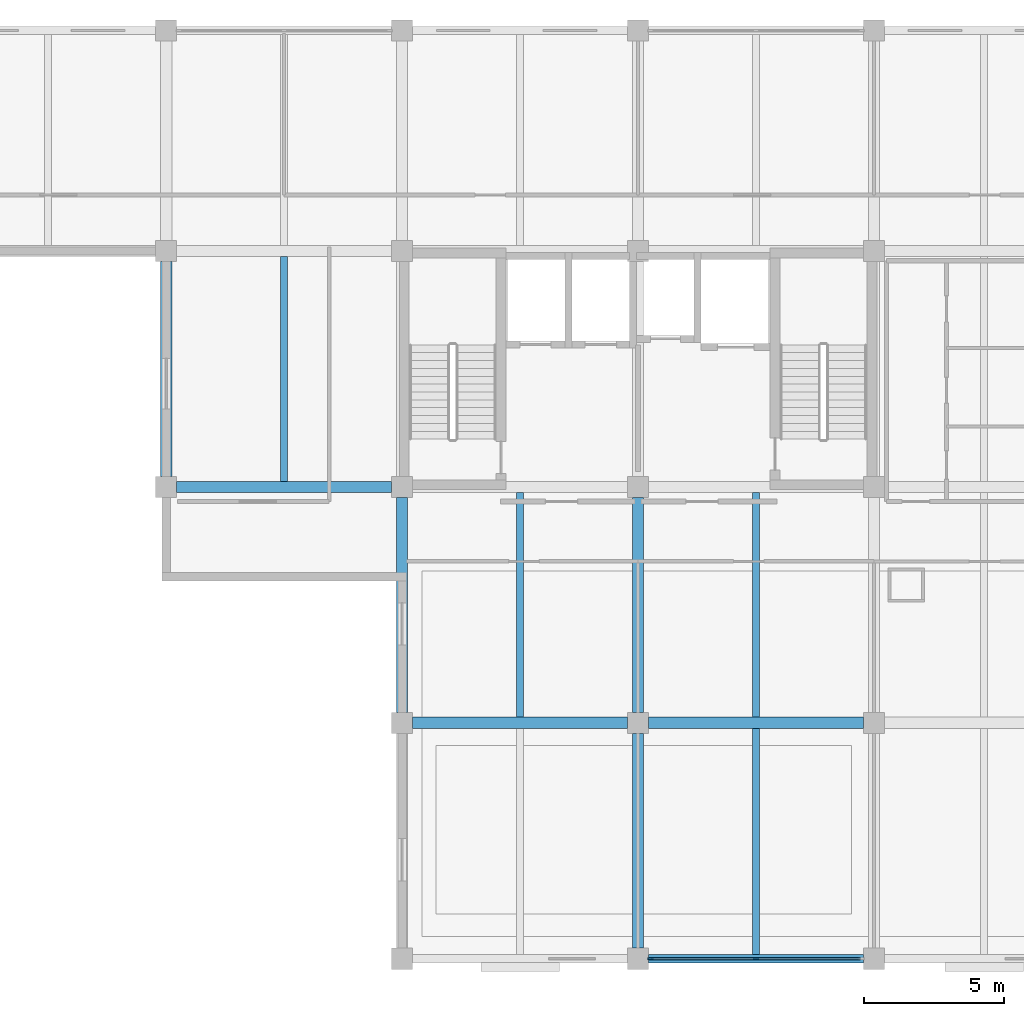
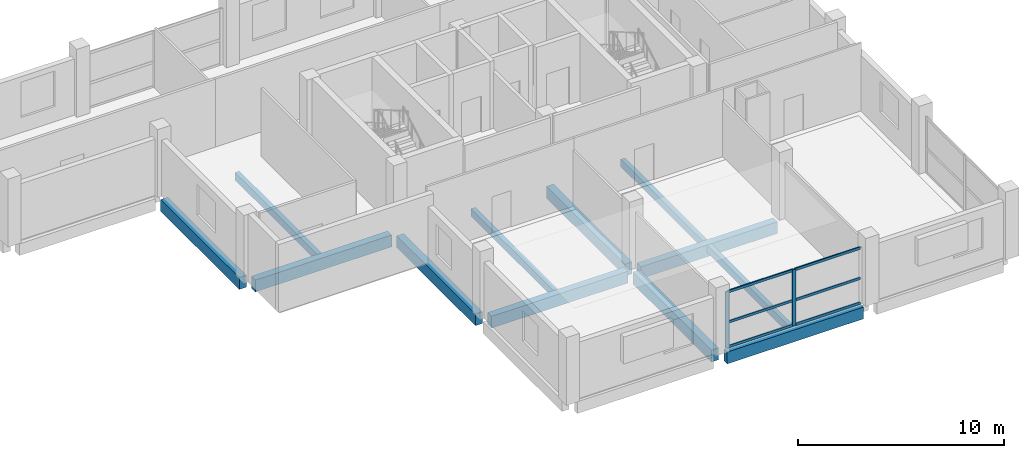
# One storey, part 2 of 9: 12 beams, 8 members, 1 element without a shape of its own.
"""IFC4 building model written with IfcOpenShell, lengths in metres."""

from ifc_helpers import new_model, si_unit, direction, frame, origin, origin_2d, place, context, subcontext, project, spatial, rectangle, extrude, material, material_profile, profile_set, type_object, element, aggregate, save


model = new_model("IFC4")

# Units and contexts
model_context = context("Model", 3, precision=1e-05, world=origin(), true_north=direction((0.0, 1.0)))
body_context = subcontext(model_context, "Body", "Model", "MODEL_VIEW")
ifc_project = project(units=[si_unit("LENGTHUNIT", "METRE"), si_unit("AREAUNIT", "SQUARE_METRE"), si_unit("VOLUMEUNIT", "CUBIC_METRE"), si_unit("PLANEANGLEUNIT", "RADIAN"), si_unit("MASSUNIT", "GRAM", prefix="KILO")], contexts=[model_context])

# Site, building, storey
site_placement = place(None, origin())
site = spatial("IfcSite", under=ifc_project, at=site_placement, CompositionType="ELEMENT")
building_placement = place(site_placement, origin())
building = spatial("IfcBuilding", under=site, at=building_placement, Name="Brinegate Botanical Conservatory", CompositionType="ELEMENT")
storey_placement = place(building_placement, frame((0.0, 0.0, 52.800048828125)))
storey = spatial("IfcBuildingStorey", under=building, at=storey_placement, Name="L13", CompositionType="ELEMENT", Elevation=52.800048828125)

# Beams
ifc_material_1 = material(Name="Concrete C40/50", Category="concrete")
ifc_material_profile_1 = material_profile(ifc_material_1, rectangle(XDim=0.39990234375, YDim=0.699951171875, at=origin_2d()), Name="RC BM 400x700")
ifc_profile_set_1 = profile_set([ifc_material_profile_1], Name="Concrete C40/50")
beam_type_1 = type_object("IfcBeamType", Name="Beam_BM-T2", PredefinedType="BEAM", material=ifc_profile_set_1)
beam_1_placement = place(storey_placement, frame((139.175048828125, 86.800048828125, -0.52001953125), z_axis=(1.0, 0.0, 0.0), x_axis=(0.0, 1.0, 0.0)))
element("IfcBeam", 1, at=beam_1_placement, inside=storey, type_object=beam_type_1, Name="Beam BM-T2 L13 L:18-19", PredefinedType="BEAM", context=body_context, shape_type="SweptSolid", body=[
    extrude(rectangle(XDim=0.39990234375, YDim=0.699951171875, at=origin_2d()), origin(), (0.0, 0.0, 1.0), 7.64990234375),
])
for number, where, z_axis, x_axis, name in (
    (2, (147.574951171875, 86.800048828125, -0.52001953125), (1.0, 0.0, 0.0), (0.0, 1.0, 0.0), "Beam BM-T2 L13 L:19-20"),
    (3, (130.77490234375, 95.199951171875, -0.52001953125), (1.0, 0.0, 0.0), (0.0, 1.0, 0.0), "Beam BM-T2 L13 M:17-18"),
    (4, (130.39990234375, 95.574951171875, -0.52001953125), (0.0, 1.0, 0.0), (-1.0, 0.0, 0.0), "Beam BM-T2 L13 17:M-N"),
):
    element("IfcBeam", number, at=place(storey_placement, frame(where, z_axis=z_axis, x_axis=x_axis)), inside=storey, type_object=beam_type_1, Name=name, PredefinedType="BEAM", context=body_context, shape_type="SweptSolid", body=[
        extrude(rectangle(XDim=0.39990234375, YDim=0.699951171875, at=origin_2d()), origin(), (0.0, 0.0, 1.0), 7.650146484375),
    ])
beam_2_placement = place(storey_placement, frame((138.800048828125, 87.175048828125, -0.52001953125), z_axis=(0.0, 1.0, 0.0), x_axis=(-1.0, 0.0, 0.0)))
element("IfcBeam", 5, at=beam_2_placement, inside=storey, type_object=beam_type_1, Name="Beam BM-T2 L13 18:L-M", PredefinedType="BEAM", context=body_context, shape_type="SweptSolid", body=[
    extrude(rectangle(XDim=0.39990234375, YDim=0.699951171875, at=origin_2d()), origin(), (0.0, 0.0, 1.0), 7.64990234375),
])
beam_3_placement = place(storey_placement, frame((147.199951171875, 78.77490234375, -0.52001953125), z_axis=(0.0, 1.0, 0.0), x_axis=(-1.0, 0.0, 0.0)))
element("IfcBeam", 6, at=beam_3_placement, inside=storey, type_object=beam_type_1, Name="Beam BM-T2 L13 19:K-L", PredefinedType="BEAM", context=body_context, shape_type="SweptSolid", body=[
    extrude(rectangle(XDim=0.39990234375, YDim=0.699951171875, at=origin_2d()), origin(), (0.0, 0.0, 1.0), 7.650146484375),
])
beam_4_placement = place(storey_placement, frame((147.199951171875, 87.175048828125, -0.52001953125), z_axis=(0.0, 1.0, 0.0), x_axis=(-1.0, 0.0, 0.0)))
element("IfcBeam", 7, at=beam_4_placement, inside=storey, type_object=beam_type_1, Name="Beam BM-T2 L13 19:L-M", PredefinedType="BEAM", context=body_context, shape_type="SweptSolid", body=[
    extrude(rectangle(XDim=0.39990234375, YDim=0.699951171875, at=origin_2d()), origin(), (0.0, 0.0, 1.0), 7.64990234375),
])
ifc_material_profile_2 = material_profile(ifc_material_1, rectangle(XDim=0.25, YDim=0.449951171875, at=origin_2d()), Name="RC JST 250x450")
ifc_profile_set_2 = profile_set([ifc_material_profile_2], Name="Concrete C40/50")
beam_type_2 = type_object("IfcBeamType", Name="Beam_JS-C3", PredefinedType="JOIST", material=ifc_profile_set_2)
for number, where, z_axis, x_axis, name in (
    (8, (134.60009765625, 95.39990234375, -0.39501953125), (0.0, 1.0, 0.0), (-1.0, 0.0, 0.0), "Floor joist JS-C3 L13 bay 17.12"),
    (9, (143.0, 87.0, -0.39501953125), (0.0, 1.0, 0.0), (-1.0, 0.0, 0.0), "Floor joist JS-C3 L13 bay 18.11"),
):
    element("IfcBeam", number, at=place(storey_placement, frame(where, z_axis=z_axis, x_axis=x_axis)), inside=storey, type_object=beam_type_2, Name=name, PredefinedType="JOIST", context=body_context, shape_type="SweptSolid", body=[
        extrude(rectangle(XDim=0.25, YDim=0.449951171875, at=origin_2d()), origin(), (0.0, 0.0, 1.0), 8.0),
    ])
beam_5_placement = place(storey_placement, frame((151.39990234375, 78.550048828125, -0.39501953125), z_axis=(0.0, 1.0, 0.0), x_axis=(-1.0, 0.0, 0.0)))
element("IfcBeam", 10, at=beam_5_placement, inside=storey, type_object=beam_type_2, Name="Floor joist JS-C3 L13 bay 19.10", PredefinedType="JOIST", context=body_context, shape_type="SweptSolid", body=[
    extrude(rectangle(XDim=0.25, YDim=0.449951171875, at=origin_2d()), origin(), (0.0, 0.0, 1.0), 8.050048828125),
])
beam_6_placement = place(storey_placement, frame((151.39990234375, 87.0, -0.39501953125), z_axis=(0.0, 1.0, 0.0), x_axis=(-1.0, 0.0, 0.0)))
element("IfcBeam", 11, at=beam_6_placement, inside=storey, type_object=beam_type_2, Name="Floor joist JS-C3 L13 bay 19.11", PredefinedType="JOIST", context=body_context, shape_type="SweptSolid", body=[
    extrude(rectangle(XDim=0.25, YDim=0.449951171875, at=origin_2d()), origin(), (0.0, 0.0, 1.0), 8.0),
])
ifc_material_profile_3 = material_profile(ifc_material_1, rectangle(XDim=0.300048828125, YDim=0.699951171875, at=origin_2d()), Name="RC SPN 300x700")
ifc_profile_set_3 = profile_set([ifc_material_profile_3], Name="Concrete C40/50")
beam_type_3 = type_object("IfcBeamType", Name="Beam_SP-02", PredefinedType="SPANDREL", material=ifc_profile_set_3)
beam_7_placement = place(storey_placement, frame((147.574951171875, 78.39990234375, -0.52001953125), z_axis=(1.0, 0.0, 0.0), x_axis=(0.0, 1.0, 0.0)))
element("IfcBeam", 12, at=beam_7_placement, inside=storey, type_object=beam_type_3, Name="Beam SP-02 L13 K:19-20", PredefinedType="SPANDREL", context=body_context, shape_type="SweptSolid", body=[
    extrude(rectangle(XDim=0.300048828125, YDim=0.699951171875, at=origin_2d()), origin(), (0.0, 0.0, 1.0), 7.650146484375),
])

# Curtain wall, members
ifc_material_2 = material(Name="Thermally broken anodised aluminium AW-6063-T6", Category="aluminium")
curtain_wall_type = type_object("IfcCurtainWallType", Name="CW_CW-TW1", PredefinedType="USERDEFINED", material=ifc_material_2)
curtain_wall_placement = place(storey_placement, origin())
curtain_wall = element("IfcCurtainWall", 13, at=curtain_wall_placement, inside=storey, type_object=curtain_wall_type, Name="Tower south curtain wall L13.2", ObjectType="FACTORY CURTAIN WALL", PredefinedType="USERDEFINED")
ifc_material_profile_4 = material_profile(ifc_material_2, rectangle(XDim=0.070068359375, YDim=0.199951171875, at=origin_2d()), Name="ALUM MULLION 70x200")
ifc_profile_set_4 = profile_set([ifc_material_profile_4], Name="Thermally broken anodised aluminium AW-6063-T6")
member_type_1 = type_object("IfcMemberType", Name="Member_ML-03", PredefinedType="MULLION", material=ifc_profile_set_4)
member_1_placement = place(storey_placement, frame((151.39990234375, 78.39990234375, 0.0), z_axis=(0.0, 0.0, 1.0), x_axis=(0.0, -1.0, 0.0)))
member_1 = element("IfcMember", 14, at=member_1_placement, type_object=member_type_1, Name="CW-TW1 mullion 2", PredefinedType="MULLION", context=body_context, shape_type="SweptSolid", body=[
    extrude(rectangle(XDim=0.070068359375, YDim=0.199951171875, at=origin_2d()), origin(), (0.0, 0.0, 1.0), 3.329833984375),
])
member_2_placement = place(storey_placement, frame((147.64990234375, 78.39990234375, 0.0), z_axis=(0.0, 0.0, 1.0), x_axis=(0.0, -1.0, 0.0)))
member_2 = element("IfcMember", 15, at=member_2_placement, type_object=member_type_1, Name="CW-TW1 mullion 3", PredefinedType="MULLION", context=body_context, shape_type="SweptSolid", body=[
    extrude(rectangle(XDim=0.070068359375, YDim=0.199951171875, at=origin_2d()), origin(), (0.0, 0.0, 1.0), 3.329833984375),
])
ifc_material_profile_5 = material_profile(ifc_material_2, rectangle(XDim=0.070068359375, YDim=0.14990234375, at=origin_2d()), Name="ALUM TRANSOM 70x150")
ifc_profile_set_5 = profile_set([ifc_material_profile_5], Name="Thermally broken anodised aluminium AW-6063-T6")
member_type_2 = type_object("IfcMemberType", Name="Member_TR-03", PredefinedType="USERDEFINED", material=ifc_profile_set_5)
member_3_placement = place(storey_placement, frame((155.114990234375, 78.39990234375, 0.034912109375), z_axis=(-1.0, 0.0, 0.0), x_axis=(0.0, -1.0, 0.0)))
member_3 = element("IfcMember", 16, at=member_3_placement, type_object=member_type_2, Name="CW-TW1 transom 1.1", ObjectType="TRANSOM", PredefinedType="USERDEFINED", context=body_context, shape_type="SweptSolid", body=[
    extrude(rectangle(XDim=0.070068359375, YDim=0.14990234375, at=origin_2d()), origin(), (0.0, 0.0, 1.0), 3.679931640625),
])
member_4_placement = place(storey_placement, frame((155.114990234375, 78.39990234375, 1.498046875), z_axis=(-1.0, 0.0, 0.0), x_axis=(0.0, -1.0, 0.0)))
member_4 = element("IfcMember", 17, at=member_4_placement, type_object=member_type_2, Name="CW-TW1 transom 1.2", ObjectType="TRANSOM", PredefinedType="USERDEFINED", context=body_context, shape_type="SweptSolid", body=[
    extrude(rectangle(XDim=0.070068359375, YDim=0.14990234375, at=origin_2d()), origin(), (0.0, 0.0, 1.0), 3.679931640625),
])
member_5_placement = place(storey_placement, frame((155.114990234375, 78.39990234375, 3.294921875), z_axis=(-1.0, 0.0, 0.0), x_axis=(0.0, -1.0, 0.0)))
member_5 = element("IfcMember", 18, at=member_5_placement, type_object=member_type_2, Name="CW-TW1 transom 1.3", ObjectType="TRANSOM", PredefinedType="USERDEFINED", context=body_context, shape_type="SweptSolid", body=[
    extrude(rectangle(XDim=0.070068359375, YDim=0.14990234375, at=origin_2d()), origin(), (0.0, 0.0, 1.0), 3.679931640625),
])
member_6_placement = place(storey_placement, frame((151.364990234375, 78.39990234375, 0.034912109375), z_axis=(-1.0, 0.0, 0.0), x_axis=(0.0, -1.0, 0.0)))
member_6 = element("IfcMember", 19, at=member_6_placement, type_object=member_type_2, Name="CW-TW1 transom 2.1", ObjectType="TRANSOM", PredefinedType="USERDEFINED", context=body_context, shape_type="SweptSolid", body=[
    extrude(rectangle(XDim=0.070068359375, YDim=0.14990234375, at=origin_2d()), origin(), (0.0, 0.0, 1.0), 3.679931640625),
])
member_7_placement = place(storey_placement, frame((151.364990234375, 78.39990234375, 1.498046875), z_axis=(-1.0, 0.0, 0.0), x_axis=(0.0, -1.0, 0.0)))
member_7 = element("IfcMember", 20, at=member_7_placement, type_object=member_type_2, Name="CW-TW1 transom 2.2", ObjectType="TRANSOM", PredefinedType="USERDEFINED", context=body_context, shape_type="SweptSolid", body=[
    extrude(rectangle(XDim=0.070068359375, YDim=0.14990234375, at=origin_2d()), origin(), (0.0, 0.0, 1.0), 3.679931640625),
])
member_8_placement = place(storey_placement, frame((151.364990234375, 78.39990234375, 3.294921875), z_axis=(-1.0, 0.0, 0.0), x_axis=(0.0, -1.0, 0.0)))
member_8 = element("IfcMember", 21, at=member_8_placement, type_object=member_type_2, Name="CW-TW1 transom 2.3", ObjectType="TRANSOM", PredefinedType="USERDEFINED", context=body_context, shape_type="SweptSolid", body=[
    extrude(rectangle(XDim=0.070068359375, YDim=0.14990234375, at=origin_2d()), origin(), (0.0, 0.0, 1.0), 3.679931640625),
])
aggregate(curtain_wall, [member_1, member_2, member_3, member_4, member_5, member_6, member_7, member_8])

save(model, "model.ifc")
